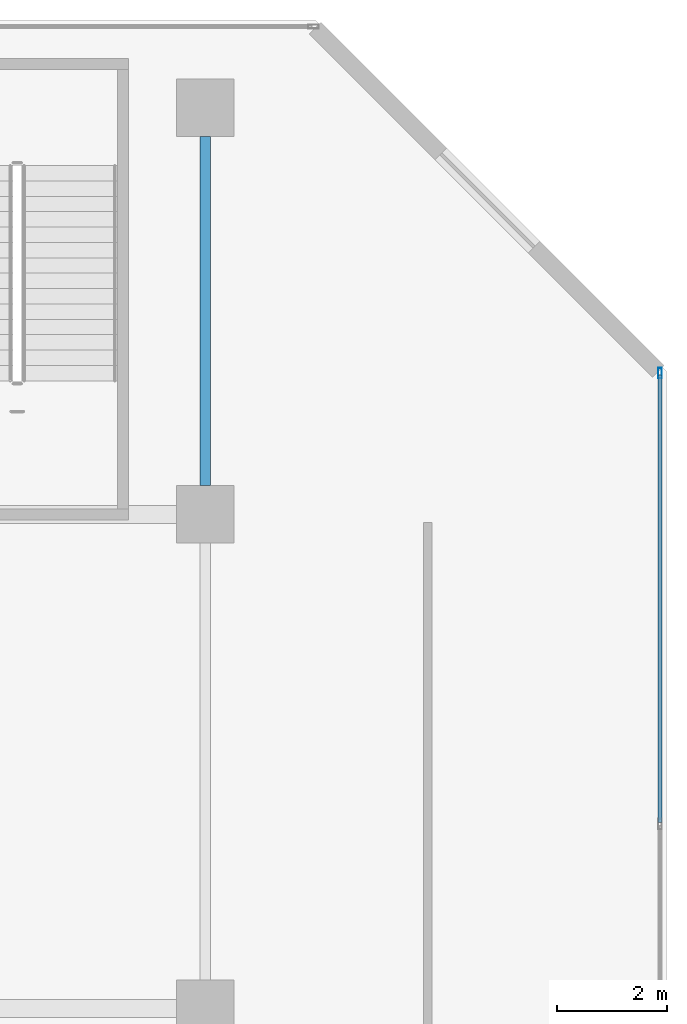
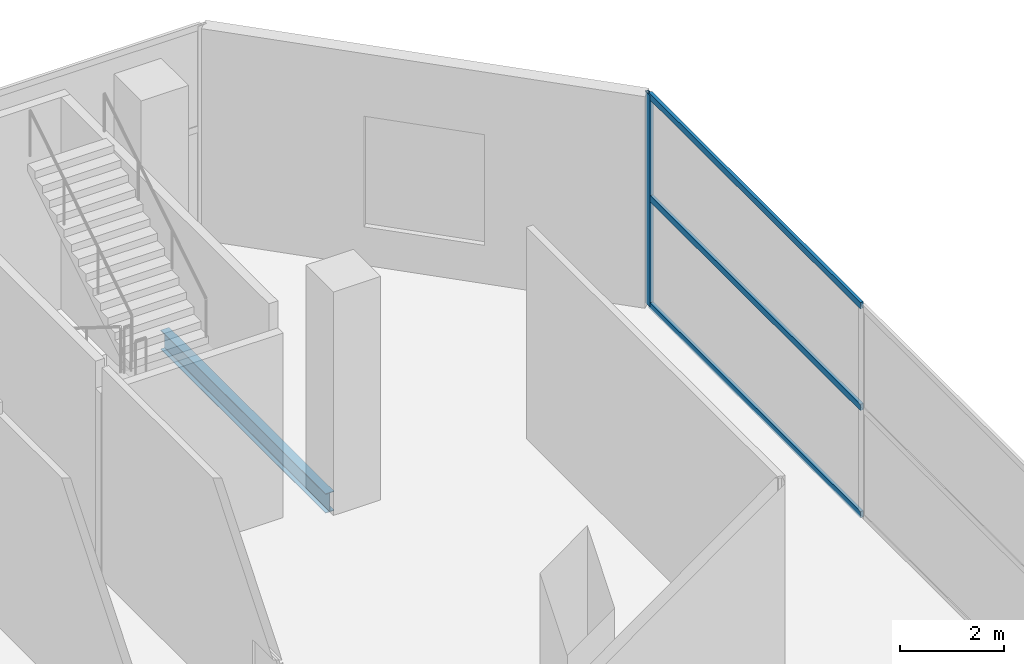
# One storey, part 29 of 40: 4 members, 1 beam, 1 element without a shape of its own.
"""IFC4 building model written with IfcOpenShell, lengths in metres."""

from ifc_helpers import new_model, si_unit, direction, frame, origin, origin_2d, place, context, subcontext, project, spatial, hollow_rectangle, i_section, extrude, material, layer, layer_set, material_profile, profile_set, type_object, element, aggregate, save


model = new_model("IFC4")

# Units and contexts
model_context = context("Model", 3, precision=1e-05, world=origin(), true_north=direction((0.0, 1.0)))
body_context = subcontext(model_context, "Body", "Model", "MODEL_VIEW")
ifc_project = project(units=[si_unit("LENGTHUNIT", "METRE"), si_unit("AREAUNIT", "SQUARE_METRE"), si_unit("VOLUMEUNIT", "CUBIC_METRE"), si_unit("PLANEANGLEUNIT", "RADIAN"), si_unit("MASSUNIT", "GRAM", prefix="KILO")], contexts=[model_context])

# Site, building, storey
site_placement = place(None, origin())
site = spatial("IfcSite", under=ifc_project, at=site_placement, CompositionType="ELEMENT")
building_placement = place(site_placement, origin())
building = spatial("IfcBuilding", under=site, at=building_placement, Name="Maruvema Waterfront Hotel and Observation Tower", CompositionType="ELEMENT")
storey_placement = place(building_placement, frame((0.0, 0.0, 5.60009765625)))
storey = spatial("IfcBuildingStorey", under=building, at=storey_placement, Name="L01", CompositionType="ELEMENT", Elevation=5.60009765625)

# Curtain wall, members
ifc_material_1 = material(Name="Anodised bronze aluminium and solar-control low-E IGU", Category="aluminium")
ifc_layer = layer(ifc_material_1, 0.159912109375, Name="Podium Waterfront Storefront Curtain Wall System CW-01")
ifc_layer_set = layer_set([ifc_layer], Name="Anodised bronze aluminium and solar-control low-E IGU")
curtain_wall_type = type_object("IfcCurtainWallType", Name="Podium Waterfront Storefront Curtain Wall System CW-01", PredefinedType="USERDEFINED", material=ifc_layer_set)
curtain_wall_placement = place(storey_placement, origin())
curtain_wall = element("IfcCurtainWall", 1, at=curtain_wall_placement, inside=storey, type_object=curtain_wall_type, Name="L01 Curtain Wall CW-L01-E", ObjectType="UNITISED CURTAIN WALL", PredefinedType="USERDEFINED")
ifc_material_2 = material(Name="Anodised architectural bronze aluminium", Category="aluminium")
ifc_material_profile_1 = material_profile(ifc_material_2, hollow_rectangle(XDim=0.070068359375, YDim=0.14990234375, WallThickness=0.00390625, at=origin_2d()), Name="ALU-T70x150")
ifc_profile_set_1 = profile_set([ifc_material_profile_1], Name="Anodised architectural bronze aluminium")
member_type_1 = type_object("IfcMemberType", Name="Curtain Wall Horizontal Transom ALU-T70x150", PredefinedType="USERDEFINED", material=ifc_profile_set_1)
member_1_placement = place(storey_placement, frame((75.47998046875, 39.389892578125, 0.02978515625), z_axis=(0.0, 1.0, 0.0), x_axis=(-1.0, 0.0, 0.0)))
member_1 = element("IfcMember", 2, at=member_1_placement, type_object=member_type_1, Name="CW-01 transom 5.1", ObjectType="TRANSOM", PredefinedType="USERDEFINED", context=body_context, shape_type="SweptSolid", body=[
    extrude(hollow_rectangle(XDim=0.070068359375, YDim=0.14990234375, WallThickness=0.00390625, at=origin_2d()), origin(), (0.0, 0.0, 1.0), 8.150146484375),
])
member_2_placement = place(storey_placement, frame((75.47998046875, 39.389892578125, 2.5498046875), z_axis=(0.0, 1.0, 0.0), x_axis=(-1.0, 0.0, 0.0)))
member_2 = element("IfcMember", 3, at=member_2_placement, type_object=member_type_1, Name="CW-01 transom 5.2", ObjectType="TRANSOM", PredefinedType="USERDEFINED", context=body_context, shape_type="SweptSolid", body=[
    extrude(hollow_rectangle(XDim=0.070068359375, YDim=0.14990234375, WallThickness=0.00390625, at=origin_2d()), origin(), (0.0, 0.0, 1.0), 8.150146484375),
])
member_3_placement = place(storey_placement, frame((75.47998046875, 39.389892578125, 4.93994140625), z_axis=(0.0, 1.0, 0.0), x_axis=(-1.0, 0.0, 0.0)))
member_3 = element("IfcMember", 4, at=member_3_placement, type_object=member_type_1, Name="CW-01 transom 5.3", ObjectType="TRANSOM", PredefinedType="USERDEFINED", context=body_context, shape_type="SweptSolid", body=[
    extrude(hollow_rectangle(XDim=0.070068359375, YDim=0.14990234375, WallThickness=0.00390625, at=origin_2d()), origin(), (0.0, 0.0, 1.0), 8.150146484375),
])

# Beam
ifc_material_3 = material(Name="Steel ASTM A572 Grade 50", Category="steel")
ifc_material_profile_2 = material_profile(ifc_material_3, i_section(OverallWidth=0.18994140625, OverallDepth=0.45703125, WebThickness=0.009033203125, FlangeThickness=0.014404296875, FilletRadius=0.014892578125, at=origin_2d()), Name="W460x74.0")
ifc_profile_set_2 = profile_set([ifc_material_profile_2], Name="Steel ASTM A572 Grade 50")
beam_type = type_object("IfcBeamType", Name="Perimeter Spandrel Beam W460x74.0", PredefinedType="SPANDREL", material=ifc_profile_set_2)
beam_placement = place(storey_placement, frame((67.199951171875, 45.52490234375, -0.508544921875), z_axis=(0.0, 1.0, 0.0), x_axis=(-1.0, 0.0, 0.0)))
element("IfcBeam", 5, at=beam_placement, inside=storey, type_object=beam_type, Name="L01 Floor Girder NS-34", PredefinedType="SPANDREL", context=body_context, shape_type="SweptSolid", body=[
    extrude(i_section(OverallWidth=0.18994140625, OverallDepth=0.45703125, WebThickness=0.009033203125, FlangeThickness=0.014404296875, FilletRadius=0.014892578125, at=origin_2d()), origin(), (0.0, 0.0, 1.0), 6.35009765625),
])

# Member
ifc_material_4 = material(Name="Anodised architectural bronze aluminium", Category="aluminium")
ifc_material_profile_3 = material_profile(ifc_material_4, hollow_rectangle(XDim=0.070068359375, YDim=0.18994140625, WallThickness=0.00390625, at=origin_2d()), Name="ALU-M70x190")
ifc_profile_set_3 = profile_set([ifc_material_profile_3], Name="Anodised architectural bronze aluminium")
member_type_2 = type_object("IfcMemberType", Name="Podium Storefront Heavy Mullion ALU-M70x190", PredefinedType="MULLION", material=ifc_profile_set_3)
member_4_placement = place(storey_placement, frame((75.47998046875, 47.570068359375, 0.0), z_axis=(0.0, 0.0, 1.0), x_axis=(-1.0, 0.0, 0.0)))
member_4 = element("IfcMember", 6, at=member_4_placement, type_object=member_type_2, Name="CW-01 mullion 6", PredefinedType="MULLION", context=body_context, shape_type="SweptSolid", body=[
    extrude(hollow_rectangle(XDim=0.070068359375, YDim=0.18994140625, WallThickness=0.00390625, at=origin_2d()), origin(), (0.0, 0.0, 1.0), 4.969970703125),
])

aggregate(curtain_wall, [member_4, member_1, member_2, member_3])

save(model, "model.ifc")
